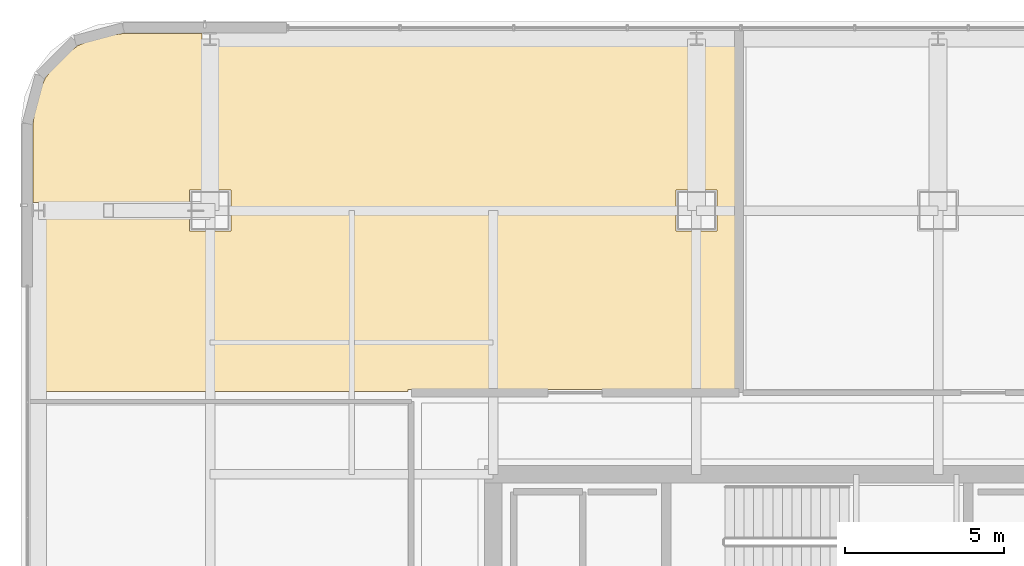
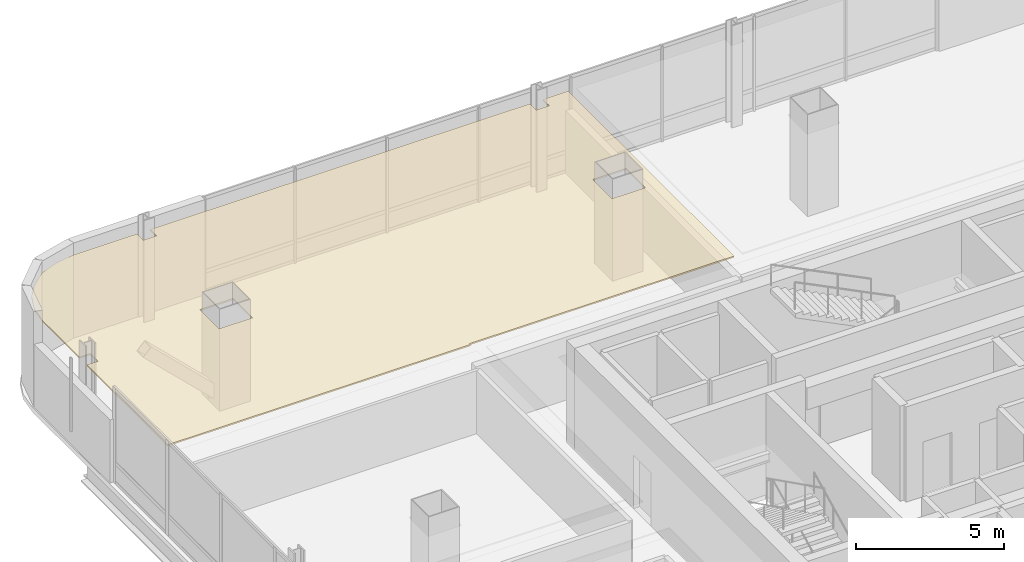
# One storey, part 48 of 51: 1 covering.
"""IFC4 building model written with IfcOpenShell, lengths in metres."""

from ifc_helpers import new_model, si_unit, direction, frame, origin, place, context, subcontext, project, spatial, polyline, outline, extrude, material, layer, layer_set, type_object, element, save


model = new_model("IFC4")

# Units and contexts
model_context = context("Model", 3, precision=1e-05, world=origin(), true_north=direction((0.0, 1.0)))
body_context = subcontext(model_context, "Body", "Model", "MODEL_VIEW")
ifc_project = project(units=[si_unit("LENGTHUNIT", "METRE"), si_unit("AREAUNIT", "SQUARE_METRE"), si_unit("VOLUMEUNIT", "CUBIC_METRE"), si_unit("PLANEANGLEUNIT", "RADIAN"), si_unit("MASSUNIT", "GRAM", prefix="KILO")], contexts=[model_context])

# Site, building, storey
site_placement = place(None, origin())
site = spatial("IfcSite", under=ifc_project, at=site_placement, CompositionType="ELEMENT")
building_placement = place(site_placement, origin())
building = spatial("IfcBuilding", under=site, at=building_placement, Name="Punatoya Terracotta Tower", CompositionType="ELEMENT")
storey_placement = place(building_placement, frame((0.0, 0.0, 313.199951171875)))
storey = spatial("IfcBuildingStorey", under=building, at=storey_placement, Name="L74", CompositionType="ELEMENT", Elevation=313.199951171875)

# Covering
ifc_material = material(Name="Acoustic Mineral Fibre Ceiling")
ifc_layer = layer(ifc_material, 0.06005859375)
ifc_layer_set = layer_set([ifc_layer], Name="Acoustic Mineral Fibre Ceiling")
covering_type = type_object("IfcCoveringType", Name="COV-CEIL-60", PredefinedType="CEILING", material=ifc_layer_set)
covering_placement = place(storey_placement, frame((0.0, 0.0, 3.39013671875)))
element("IfcCovering", 1, at=covering_placement, inside=storey, type_object=covering_type, Name="L74 Fitness Movement Lounge Acoustic Ceiling", PredefinedType="CEILING", context=body_context, shape_type="SweptSolid", body=[
    extrude(outline(polyline([(-18.846923828125, 22.64208984375), (-19.35302734375, 22.64208984375), (-19.35302734375, 23.070068359375), (-21.8251953125, 23.070068359375), (-22.5791015625, 22.970703125), (-23.25830078125, 22.689453125), (-23.841796875, 22.24169921875), (-24.289306640625, 21.658203125), (-24.57080078125, 20.97900390625), (-24.669921875, 20.22509765625), (-24.669921875, 17.758056640625), (-24.2470703125, 17.758056640625), (-24.2470703125, 17.241943359375), (-24.669921875, 17.241943359375), (-24.669921875, 11.81005859375), (-12.8701171875, 11.81005859375), (-12.8701171875, 11.8701171875), (-2.56005859375, 11.8701171875), (-2.56005859375, 23.070068359375), (-3.547119140625, 23.070068359375), (-3.547119140625, 22.64208984375), (-4.052978515625, 22.64208984375), (-4.052978515625, 23.070068359375), (-18.846923828125, 23.070068359375), (-18.846923828125, 22.64208984375)]), holes=[polyline([(-4.449951171875, 16.85009765625), (-4.449951171875, 18.14990234375), (-3.14990234375, 18.14990234375), (-3.14990234375, 16.85009765625), (-4.449951171875, 16.85009765625)]), polyline([(-19.75, 18.14990234375), (-18.449951171875, 18.14990234375), (-18.449951171875, 16.85009765625), (-19.75, 16.85009765625), (-19.75, 18.14990234375)])]), origin(), (0.0, 0.0, 1.0), 0.059814453125),
])

save(model, "model.ifc")
